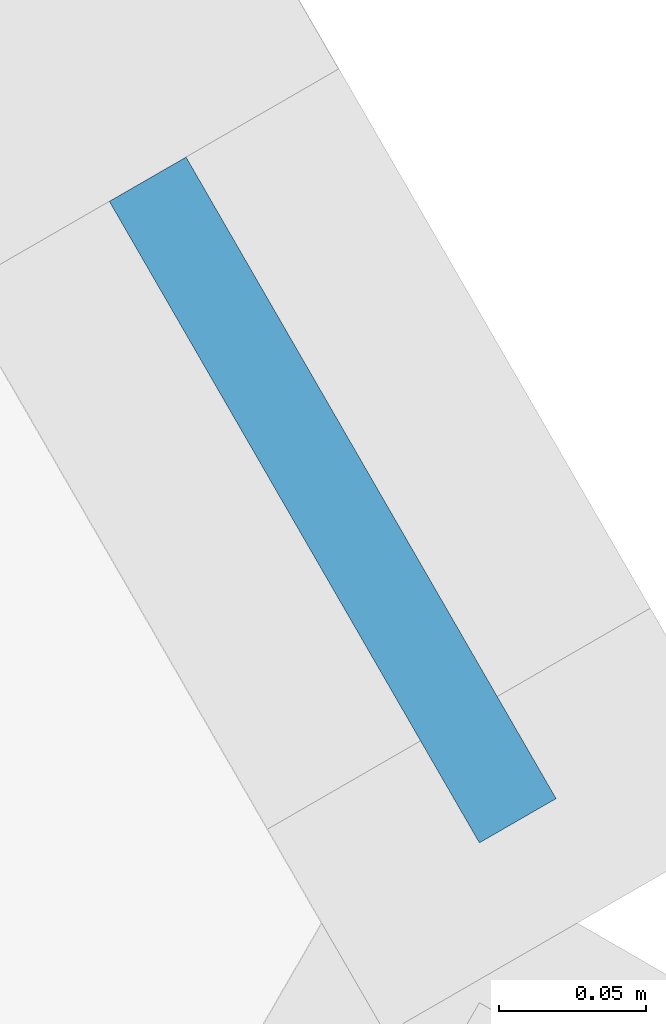
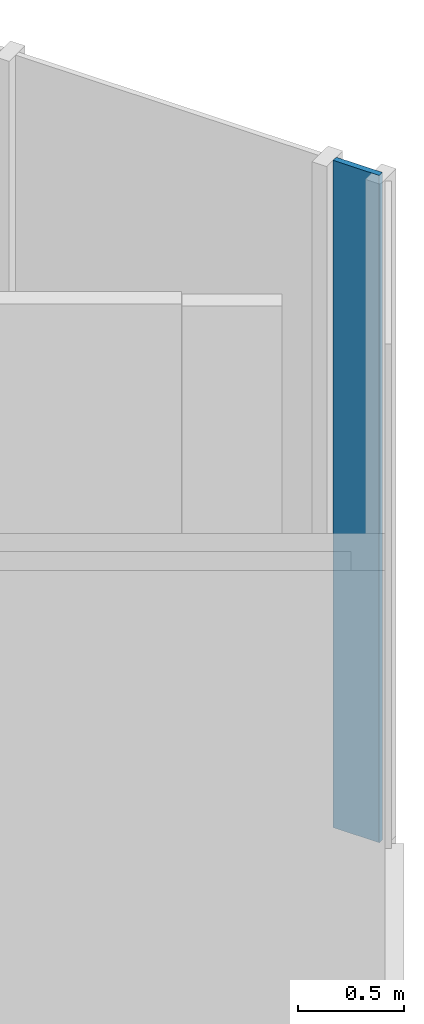
# One storey, part 18 of 25: 1 plate, 1 element without a shape of its own.
"""IFC4 building model written with IfcOpenShell, lengths in metres."""

from ifc_helpers import new_model, si_unit, direction, frame, origin, place, context, subcontext, project, spatial, polyline, outline, extrude, material, layer, layer_set, type_object, element, aggregate, save


model = new_model("IFC4")

# Units and contexts
model_context = context("Model", 3, precision=1e-05, world=origin(), true_north=direction((0.0, 1.0)))
body_context = subcontext(model_context, "Body", "Model", "MODEL_VIEW")
ifc_project = project(units=[si_unit("LENGTHUNIT", "METRE"), si_unit("AREAUNIT", "SQUARE_METRE"), si_unit("VOLUMEUNIT", "CUBIC_METRE"), si_unit("PLANEANGLEUNIT", "RADIAN"), si_unit("MASSUNIT", "GRAM", prefix="KILO")], contexts=[model_context])

# Site, building, storey
site_placement = place(None, origin())
site = spatial("IfcSite", under=ifc_project, at=site_placement, CompositionType="ELEMENT")
building_placement = place(site_placement, origin())
building = spatial("IfcBuilding", under=site, at=building_placement, Name="Firuza Gate Tower and Library", CompositionType="ELEMENT")
storey_placement = place(building_placement, frame((0.0, 0.0, 61.0)))
storey = spatial("IfcBuildingStorey", under=building, at=storey_placement, Name="L13", CompositionType="ELEMENT", Elevation=61.0)

# Curtain wall, plate
ifc_material_1 = material(Name="Aluminium 6063-T6", Category="aluminium")
ifc_layer_1 = layer(ifc_material_1, 0.14990234375)
ifc_layer_set_1 = layer_set([ifc_layer_1], Name="Unitised curtain wall, offices")
curtain_wall_type = type_object("IfcCurtainWallType", Name="Unitised curtain wall, offices", PredefinedType="NOTDEFINED", material=ifc_layer_set_1)
curtain_wall_placement = place(storey_placement, origin())
curtain_wall = element("IfcCurtainWall", 1, at=curtain_wall_placement, inside=storey, type_object=curtain_wall_type, Name="CW1 L13 E face", PredefinedType="NOTDEFINED")
ifc_material_2 = material(Name="Glazed ceramic tile")
ifc_layer_2 = layer(ifc_material_2, 0.030029296875)
ifc_layer_set_2 = layer_set([ifc_layer_2], Name="Opaque ceramic panel, offices")
plate_type = type_object("IfcPlateType", Name="Opaque ceramic panel, offices", PredefinedType="CURTAIN_PANEL", material=ifc_layer_set_2)
plate_placement = place(storey_placement, frame((107.282958984375, 60.6064453125, 0.14990234375), z_axis=(0.866201770413, 0.499694399542, 0.0), x_axis=(-0.499694399542, 0.866201770413, 0.0)))
plate = element("IfcPlate", 2, at=plate_placement, type_object=plate_type, Name="Opaque ceramic panel", PredefinedType="CURTAIN_PANEL", context=body_context, shape_type="SweptSolid", body=[
    extrude(outline(polyline([(0.0, 0.0), (0.25113005341856437, 0.0), (0.25113005341856437, 3.85009765625), (0.0, 3.85009765625), (0.0, 0.0)])), origin(), (0.0, 0.0, -1.0), 0.030029296875),
])
aggregate(curtain_wall, [plate])

save(model, "model.ifc")
